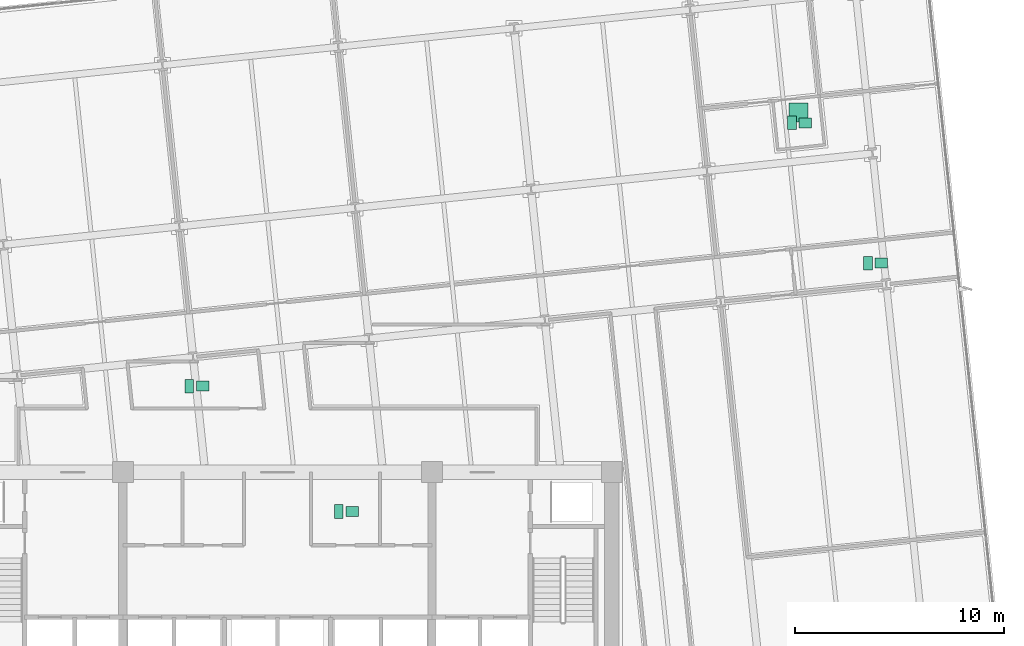
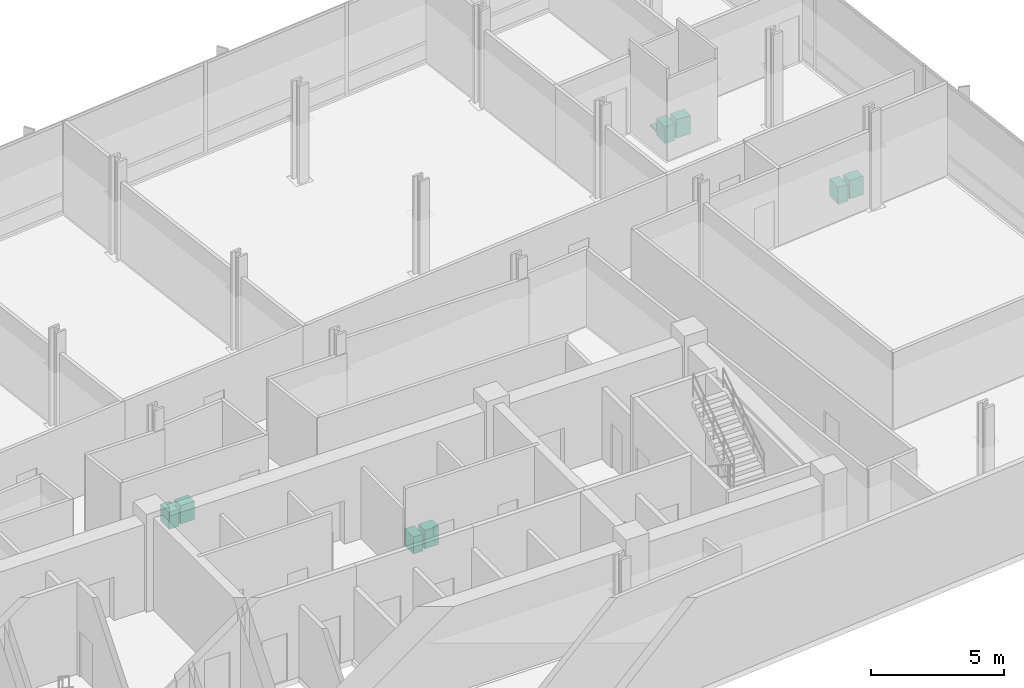
# One storey, part 20 of 20: 9 sanitary terminals.
"""IFC4 building model written with IfcOpenShell, lengths in metres."""

from ifc_helpers import new_model, si_unit, direction, frame, origin, origin_2d, place, context, subcontext, project, spatial, rectangle, extrude, material, type_object, element, save


model = new_model("IFC4")

# Units and contexts
model_context = context("Model", 3, precision=1e-05, world=origin(), true_north=direction((0.0, 1.0)))
body_context = subcontext(model_context, "Body", "Model", "MODEL_VIEW")
ifc_project = project(units=[si_unit("LENGTHUNIT", "METRE"), si_unit("AREAUNIT", "SQUARE_METRE"), si_unit("VOLUMEUNIT", "CUBIC_METRE"), si_unit("PLANEANGLEUNIT", "RADIAN"), si_unit("MASSUNIT", "GRAM", prefix="KILO")], contexts=[model_context])

# Site, building, storey
site_placement = place(None, origin())
site = spatial("IfcSite", under=ifc_project, at=site_placement, CompositionType="ELEMENT")
building_placement = place(site_placement, origin())
building = spatial("IfcBuilding", under=site, at=building_placement, Name="Solmavex Isthmus Hotel", CompositionType="ELEMENT")
storey_placement = place(building_placement, frame((0.0, 0.0, 101.85009765625)))
storey = spatial("IfcBuildingStorey", under=building, at=storey_placement, Name="L27", CompositionType="ELEMENT", Elevation=101.85009765625)

# Sanitary terminals
ifc_material = material(Name="Vitreous china ceramic", Category="ceramic")
sanitary_terminal_type_1 = type_object("IfcSanitaryTerminalType", Name="SAN-BASIN", PredefinedType="WASHHANDBASIN", material=ifc_material)
for number, where, z_axis, x_axis, name in (
    (1, (3.570068359375, -4.385009765625, -0.000244140625), (0.0, 0.0, 1.0), (1.0, 0.0, 0.0), "Vanity Washbasin L27-125"),
    (2, (25.264404296875, 14.217529296875, -0.000244140625), (0.0, 0.0, 1.0), (1.0, 0.0, 0.0), "Vanity Washbasin L27-126"),
    (3, (-3.58349609375, 1.6162109375, -0.000244140625), (0.0, 0.0, 1.0), (1.0, 0.0, 0.0), "Vanity Washbasin L27-127"),
    (4, (28.9111328125, 7.50390625, -0.000244140625), (0.0, 0.0, 1.0), (1.0, 0.0, 0.0), "Vanity Washbasin L27-128"),
):
    element("IfcSanitaryTerminal", number, at=place(storey_placement, frame(where, z_axis=z_axis, x_axis=x_axis)), inside=storey, type_object=sanitary_terminal_type_1, Name=name, PredefinedType="WASHHANDBASIN", context=body_context, shape_type="SweptSolid", body=[
        extrude(rectangle(XDim=0.60009765625, YDim=0.47998046875, at=origin_2d()), origin(), (0.0, 0.0, 1.0), 0.85009765625),
    ])
sanitary_terminal_type_2 = type_object("IfcSanitaryTerminalType", Name="SAN-SHOWER", PredefinedType="SHOWER", material=ifc_material)
sanitary_terminal_placement = place(storey_placement, frame((24.944580078125, 14.717529296875, -0.000244140625), z_axis=(0.0, 0.0, 1.0), x_axis=(1.0, 0.0, 0.0)))
element("IfcSanitaryTerminal", 5, at=sanitary_terminal_placement, inside=storey, type_object=sanitary_terminal_type_2, Name="Walk-In Shower L27-126", PredefinedType="SHOWER", context=body_context, shape_type="SweptSolid", body=[
    extrude(rectangle(XDim=0.89990234375, YDim=0.89990234375, at=origin_2d()), origin(), (0.0, 0.0, 1.0), 0.080078125),
])
sanitary_terminal_type_3 = type_object("IfcSanitaryTerminalType", Name="SAN-WC-SUITE", PredefinedType="TOILETPAN", material=ifc_material)
for number, where, z_axis, x_axis, name in (
    (6, (2.929931640625, -4.385009765625, 0.0), (0.0, 0.0, 1.0), (1.0, 0.0, 0.0), "Water Closet L27-125"),
    (7, (24.62451171875, 14.217529296875, 0.0), (0.0, 0.0, 1.0), (1.0, 0.0, 0.0), "Water Closet L27-126"),
    (8, (-4.223388671875, 1.6162109375, 0.0), (0.0, 0.0, 1.0), (1.0, 0.0, 0.0), "Water Closet L27-127"),
    (9, (28.271240234375, 7.50390625, 0.0), (0.0, 0.0, 1.0), (1.0, 0.0, 0.0), "Water Closet L27-128"),
):
    element("IfcSanitaryTerminal", number, at=place(storey_placement, frame(where, z_axis=z_axis, x_axis=x_axis)), inside=storey, type_object=sanitary_terminal_type_3, Name=name, PredefinedType="TOILETPAN", context=body_context, shape_type="SweptSolid", body=[
        extrude(rectangle(XDim=0.419921875, YDim=0.64990234375, at=origin_2d()), origin(), (0.0, 0.0, 1.0), 0.780029296875),
    ])

save(model, "model.ifc")
